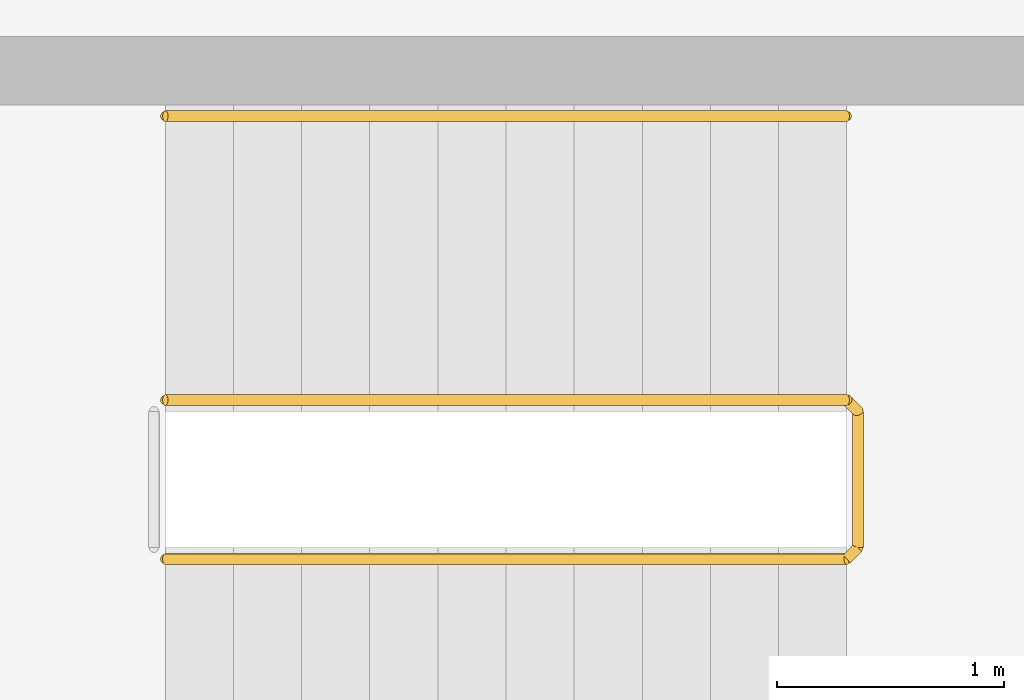
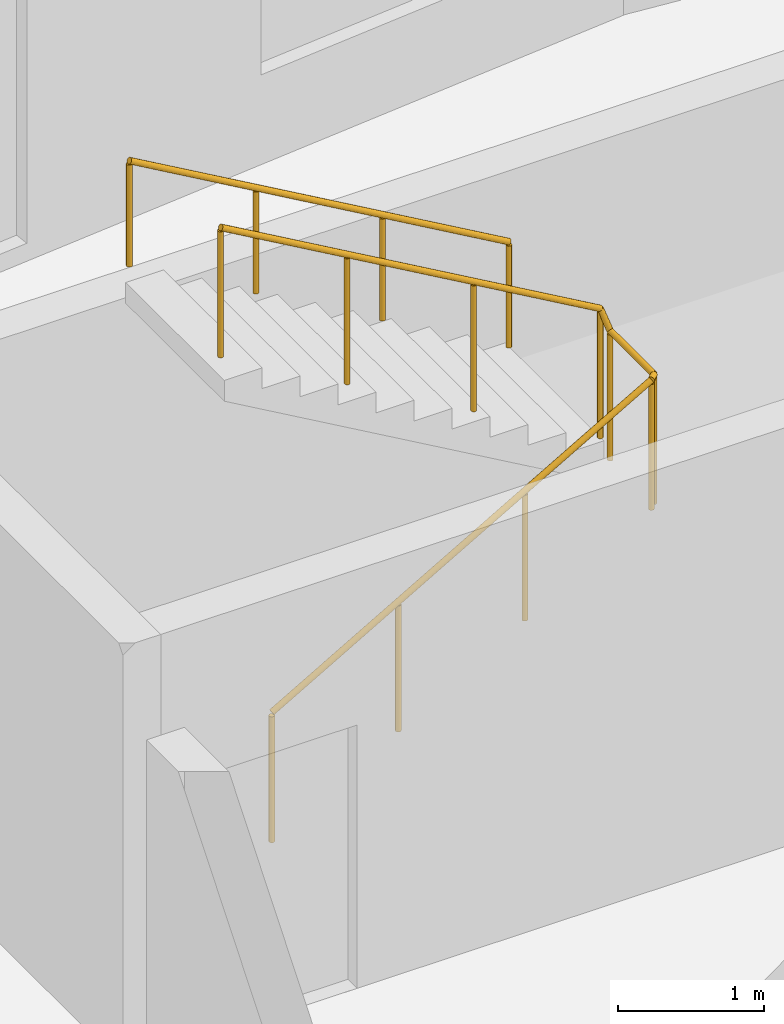
# One storey, part 11 of 11: 2 railings.
"""IFC4 building model written with IfcOpenShell, lengths in metres."""

import ifcopenshell
import ifcopenshell.guid

model = None  # the IFC model being written
_history = None  # IfcOwnerHistory: only IFC2X3 demands one
_inside = {}  # id of a spatial element -> (the spatial element, [elements in it])
_under = {}  # id of a project, library or spatial element -> (it, [spatial elements below it])
_declared = {}  # id of a project -> (the project, [libraries it declares])
_typed = {}  # id of a type object -> (the type object, [elements of that type])
_made_of = {}  # id of a material, layer set ... -> (it, [elements and type objects made of it])


def new_model(schema):
    """Start an empty IFC model of exactly this schema.

    Asked for "IFC4X3", IfcOpenShell would pick the latest addendum, in which some entities
    have other attributes; the version numbers below select the first issue.
    IFC2X3 requires an IfcOwnerHistory on every rooted entity: one is made here for all.
    """
    global model, _history
    if schema == "IFC4X3":
        model = ifcopenshell.file(schema_version=(4, 3, 0, 0))
    else:
        model = ifcopenshell.file(schema=schema)
    _inside.clear()
    _under.clear()
    _declared.clear()
    _typed.clear()
    _made_of.clear()
    _history = None
    if model.schema == "IFC2X3":
        org = make("IfcOrganization", Name="unknown")
        user = make(
            "IfcPersonAndOrganization",
            ThePerson=make("IfcPerson", FamilyName="unknown"),
            TheOrganization=org,
        )
        app = make(
            "IfcApplication",
            ApplicationDeveloper=org,
            Version="unknown",
            ApplicationFullName="unknown",
            ApplicationIdentifier="unknown",
        )
        _history = make(
            "IfcOwnerHistory",
            OwningUser=user,
            OwningApplication=app,
            ChangeAction="ADDED",
            CreationDate=0,
        )
    return model


def make(cls, **values):
    """One entity of the class cls with the attributes given. An attribute that is None is left unset."""
    return model.create_entity(
        cls, **{name: value for name, value in values.items() if value is not None}
    )


def rooted(cls, **values):
    """An entity with a GlobalId (a new one), such as an element, a storey or a relation."""
    return make(cls, GlobalId=ifcopenshell.guid.new(), OwnerHistory=_history, **values)


def si_unit(unit_type, name, prefix=None):
    """IfcSIUnit, for example si_unit("LENGTHUNIT", "METRE", prefix="MILLI")."""
    return make("IfcSIUnit", UnitType=unit_type, Prefix=prefix, Name=name)


def assignment(units):
    """IfcUnitAssignment: the units of a project."""
    return None if units is None else make("IfcUnitAssignment", Units=units)


def point(xyz):
    """IfcCartesianPoint."""
    return None if xyz is None else make("IfcCartesianPoint", Coordinates=xyz)


def direction(xyz):
    """IfcDirection."""
    return None if xyz is None else make("IfcDirection", DirectionRatios=xyz)


def frame(location, z_axis=None, x_axis=None):
    """IfcAxis2Placement3D, a coordinate frame: its origin and axes. An axis left out is left unset."""
    return make(
        "IfcAxis2Placement3D",
        Location=point(location),
        Axis=direction(z_axis),
        RefDirection=direction(x_axis),
    )


def frame_2d(location, x_axis=None):
    """IfcAxis2Placement2D, a coordinate frame in the plane: its origin and x axis."""
    return make(
        "IfcAxis2Placement2D", Location=point(location), RefDirection=direction(x_axis)
    )


def origin():
    """The frame at (0, 0, 0) with its axes left unset."""
    return frame((0.0, 0.0, 0.0))


def origin_2d():
    """The frame at (0, 0) in the plane with its x axis left unset."""
    return frame_2d((0.0, 0.0))


def place(relative_to, where):
    """IfcLocalPlacement: puts the frame where relative to a parent placement (None: the world)."""
    return make(
        "IfcLocalPlacement", PlacementRelTo=relative_to, RelativePlacement=where
    )


def context(
    kind, dimensions, precision=None, world=None, true_north=None, identifier=None
):
    """IfcGeometricRepresentationContext, for example the 3D "Model" context."""
    return make(
        "IfcGeometricRepresentationContext",
        ContextIdentifier=identifier,
        ContextType=kind,
        CoordinateSpaceDimension=dimensions,
        Precision=precision,
        WorldCoordinateSystem=world,
        TrueNorth=true_north,
    )


def subcontext(parent, identifier, kind, view, scale=None):
    """IfcGeometricRepresentationSubContext, for example "Body" below "Model"."""
    return make(
        "IfcGeometricRepresentationSubContext",
        ContextIdentifier=identifier,
        ContextType=kind,
        ParentContext=parent,
        TargetScale=scale,
        TargetView=view,
    )


def project(units=None, contexts=None):
    """IfcProject with its units and contexts."""
    return rooted(
        "IfcProject",
        Name="project",
        RepresentationContexts=contexts,
        UnitsInContext=assignment(units),
    )


def spatial(cls, under=None, at=None, **own):
    """A site, building, storey or space (cls), placed at a placement, below another one or the project."""
    s = rooted(cls, ObjectPlacement=at, **own)
    if under is not None:
        _under.setdefault(under.id(), (under, []))[1].append(s)
    return s


def profile(cls, at=None, kind="AREA", **sizes):
    """A parametric profile (cls). Its sizes go by their IFC names, for example OverallWidth=200.0."""
    return make(cls, ProfileType=kind, Position=at, **sizes)


def circle(**sizes):
    """IfcCircleProfileDef."""
    return profile("IfcCircleProfileDef", **sizes)


def extrude(swept, where, along, depth):
    """IfcExtrudedAreaSolid: the profile swept, set in the frame where, extruded along a direction by depth."""
    return make(
        "IfcExtrudedAreaSolid",
        SweptArea=swept,
        Position=where,
        ExtrudedDirection=direction(along),
        Depth=depth,
    )


def shape(context_of_items, identifier, shape_type, items):
    """IfcShapeRepresentation: the items that make up one representation, for example the "Body"."""
    return make(
        "IfcShapeRepresentation",
        ContextOfItems=context_of_items,
        RepresentationIdentifier=identifier,
        RepresentationType=shape_type,
        Items=items,
    )


def material(Name=None, Category=None):
    """IfcMaterial."""
    return make("IfcMaterial", Name=Name, Category=Category)


def made_of(thing, what):
    """Note that an element or type object is made of a material, layer set ...; save() writes the relation."""
    if what is not None:
        _made_of.setdefault(what.id(), (what, []))[1].append(thing)
    return thing


def type_object(cls, material=None, **own):
    """A type object (cls), such as IfcWallType, which elements share."""
    return made_of(rooted(cls, **own), material)


def element(
    cls,
    number,
    at=None,
    inside=None,
    cuts=None,
    type_object=None,
    material=None,
    context=None,
    identifier="Body",
    shape_type=None,
    held_by="IfcProductDefinitionShape",
    body=None,
    shapes=None,
    **own,
):
    """One element of the class cls, such as IfcWall. Its Tag is "e" and its number.

    at: its placement. inside: the storey or other place that contains it. cuts: it is an
    opening in that element (IfcRelVoidsElement). A single representation is given by context,
    identifier, shape_type and body (its items); several are given by shapes. held_by: the class
    of the entity that holds the representations. save() writes the other relations.
    """
    e = rooted(cls, Tag="e%d" % number, ObjectPlacement=at, **own)
    if body is not None:
        shapes = [shape(context, identifier, shape_type, body)]
    if shapes is not None:
        e.Representation = make(held_by, Representations=shapes)
    if inside is not None:
        _inside.setdefault(inside.id(), (inside, []))[1].append(e)
    if cuts is not None:
        rooted(
            "IfcRelVoidsElement", RelatingBuildingElement=cuts, RelatedOpeningElement=e
        )
    if type_object is not None:
        _typed.setdefault(type_object.id(), (type_object, []))[1].append(e)
    return made_of(e, material)


def aggregate(whole, parts):
    """IfcRelAggregates: a whole, such as a stair, and the parts it consists of."""
    return rooted("IfcRelAggregates", RelatingObject=whole, RelatedObjects=parts)


def save(model, path):
    """Write the relations noted so far, then the file.

    IfcRelAggregates (storeys below a building ...), IfcRelContainedInSpatialStructure (elements
    in a storey), IfcRelDefinesByType, IfcRelAssociatesMaterial and IfcRelDeclares: one each for
    every whole, place, type object, material and project.
    """
    for whole, parts in _under.values():
        aggregate(whole, parts)
    for where, things in _inside.values():
        rooted(
            "IfcRelContainedInSpatialStructure",
            RelatedElements=things,
            RelatingStructure=where,
        )
    for kind, things in _typed.values():
        rooted("IfcRelDefinesByType", RelatedObjects=things, RelatingType=kind)
    for what, things in _made_of.values():
        rooted("IfcRelAssociatesMaterial", RelatedObjects=things, RelatingMaterial=what)
    for by, libraries in _declared.values():
        rooted("IfcRelDeclares", RelatingContext=by, RelatedDefinitions=libraries)
    model.write(path)


model = new_model("IFC4")

# Units and contexts
model_context = context("Model", 3, precision=1e-05, world=origin(), true_north=direction((0.0, 1.0)))
body_context = subcontext(model_context, "Body", "Model", "MODEL_VIEW")
ifc_project = project(units=[si_unit("LENGTHUNIT", "METRE"), si_unit("AREAUNIT", "SQUARE_METRE"), si_unit("VOLUMEUNIT", "CUBIC_METRE"), si_unit("PLANEANGLEUNIT", "RADIAN"), si_unit("MASSUNIT", "GRAM", prefix="KILO")], contexts=[model_context])

# Site, building, storey
site_placement = place(None, origin())
site = spatial("IfcSite", under=ifc_project, at=site_placement, CompositionType="ELEMENT")
building_placement = place(site_placement, origin())
building = spatial("IfcBuilding", under=site, at=building_placement, Name="Brondeck Convention Tower", CompositionType="ELEMENT")
storey_placement = place(building_placement, frame((0.0, 0.0, 107.5)))
storey = spatial("IfcBuildingStorey", under=building, at=storey_placement, Name="L25", CompositionType="ELEMENT", Elevation=107.5)

# Railings
ifc_material = material(Name="Steel S355", Category="steel")
railing_type_1 = type_object("IfcRailingType", Name="Stair guard 1100", PredefinedType="GUARDRAIL", material=ifc_material)
railing_1_placement = place(storey_placement, frame((37.85009765625, 55.449951171875, 0.172607421875)))
element("IfcRailing", 1, at=railing_1_placement, inside=storey, type_object=railing_type_1, Name="L25 ST-AE stair guard 1", PredefinedType="GUARDRAIL", context=body_context, shape_type="SweptSolid", body=[
    extrude(circle(Radius=0.02392578125, at=origin_2d()), frame((0.0, 0.0, 1.076171875), z_axis=(0.866619684472, 0.0, 0.498969260062), x_axis=(0.0, 1.0, 0.0)), (0.0, 0.0, 1.0), 3.461669921875),
    extrude(circle(Radius=0.02392578125, at=origin_2d()), frame((3.0, 0.0, 2.80322265625), z_axis=(0.705375805398, 0.708833529934, 0.0), x_axis=(-0.708833529934, 0.705375805398, 0.0)), (0.0, 0.0, 1.0), 0.070556640625),
    extrude(circle(Radius=0.02392578125, at=origin_2d()), frame((3.0498046875, 0.050048828125, 2.80322265625), z_axis=(0.0, 1.0, 0.0), x_axis=(-1.0, 0.0, 0.0)), (0.0, 0.0, 1.0), 0.60009765625),
    extrude(circle(Radius=0.02392578125, at=origin_2d()), frame((3.0498046875, 0.650146484375, 2.80322265625), z_axis=(-0.266832911964, 0.266832911964, 0.926067165051), x_axis=(-0.707106781187, -0.707106781187, 0.0)), (0.0, 0.0, 1.0), 0.186767578125),
    extrude(circle(Radius=0.02392578125, at=origin_2d()), frame((3.0, 0.699951171875, 2.97607421875), z_axis=(-0.866619684472, 0.0, 0.498969260062), x_axis=(0.0, -1.0, 0.0)), (0.0, 0.0, 1.0), 3.461669921875),
    extrude(circle(Radius=0.02099609375, at=origin_2d()), origin(), (0.0, 0.0, 1.0), 1.052001953125),
    extrude(circle(Radius=0.02099609375, at=origin_2d()), frame((1.0, 0.0, 0.57568359375)), (0.0, 0.0, 1.0), 1.052001953125),
    extrude(circle(Radius=0.02099609375, at=origin_2d()), frame((2.0, 0.0, 1.151611328125)), (0.0, 0.0, 1.0), 1.052001953125),
    extrude(circle(Radius=0.02099609375, at=origin_2d()), frame((3.0, 0.0, 1.727294921875)), (0.0, 0.0, 1.0), 1.052001953125),
    extrude(circle(Radius=0.02099609375, at=origin_2d()), frame((3.0498046875, 0.050048828125, 1.727294921875)), (0.0, 0.0, 1.0), 1.052001953125),
    extrude(circle(Radius=0.02099609375, at=origin_2d()), frame((3.0498046875, 0.650146484375, 1.727294921875)), (0.0, 0.0, 1.0), 1.052001953125),
    extrude(circle(Radius=0.02099609375, at=origin_2d()), frame((3.0, 0.699951171875, 1.900146484375)), (0.0, 0.0, 1.0), 1.052001953125),
    extrude(circle(Radius=0.02099609375, at=origin_2d()), frame((2.0, 0.699951171875, 2.475830078125)), (0.0, 0.0, 1.0), 1.052001953125),
    extrude(circle(Radius=0.02099609375, at=origin_2d()), frame((1.0, 0.699951171875, 3.0517578125)), (0.0, 0.0, 1.0), 1.052001953125),
    extrude(circle(Radius=0.02099609375, at=origin_2d()), frame((0.0, 0.699951171875, 3.62744140625)), (0.0, 0.0, 1.0), 1.052001953125),
])
railing_type_2 = type_object("IfcRailingType", Name="Stair handrail", PredefinedType="HANDRAIL", material=ifc_material)
railing_2_placement = place(storey_placement, frame((40.85009765625, 57.39990234375, 2.07275390625)))
element("IfcRailing", 2, at=railing_2_placement, inside=storey, type_object=railing_type_2, Name="L25 ST-AE stair handrail 2", PredefinedType="HANDRAIL", context=body_context, shape_type="SweptSolid", body=[
    extrude(circle(Radius=0.02392578125, at=origin_2d()), frame((0.0, 0.0, 0.8759765625), z_axis=(-0.866619684472, 0.0, 0.498969260062), x_axis=(0.0, -1.0, 0.0)), (0.0, 0.0, 1.0), 3.461669921875),
    extrude(circle(Radius=0.02099609375, at=origin_2d()), origin(), (0.0, 0.0, 1.0), 0.851806640625),
    extrude(circle(Radius=0.02099609375, at=origin_2d()), frame((-1.0, 0.0, 0.57568359375)), (0.0, 0.0, 1.0), 0.851806640625),
    extrude(circle(Radius=0.02099609375, at=origin_2d()), frame((-2.0, 0.0, 1.151611328125)), (0.0, 0.0, 1.0), 0.851806640625),
    extrude(circle(Radius=0.02099609375, at=origin_2d()), frame((-3.0, 0.0, 1.727294921875)), (0.0, 0.0, 1.0), 0.851806640625),
])

save(model, "model.ifc")
